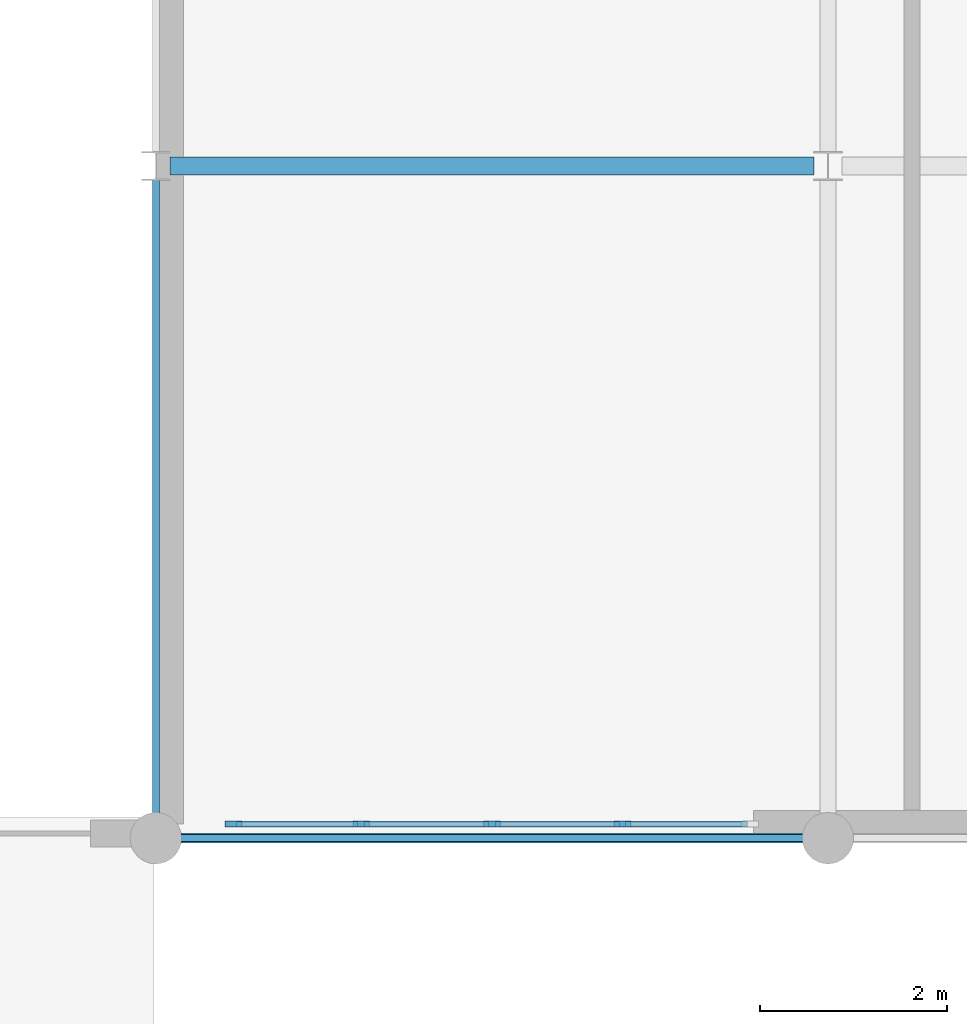
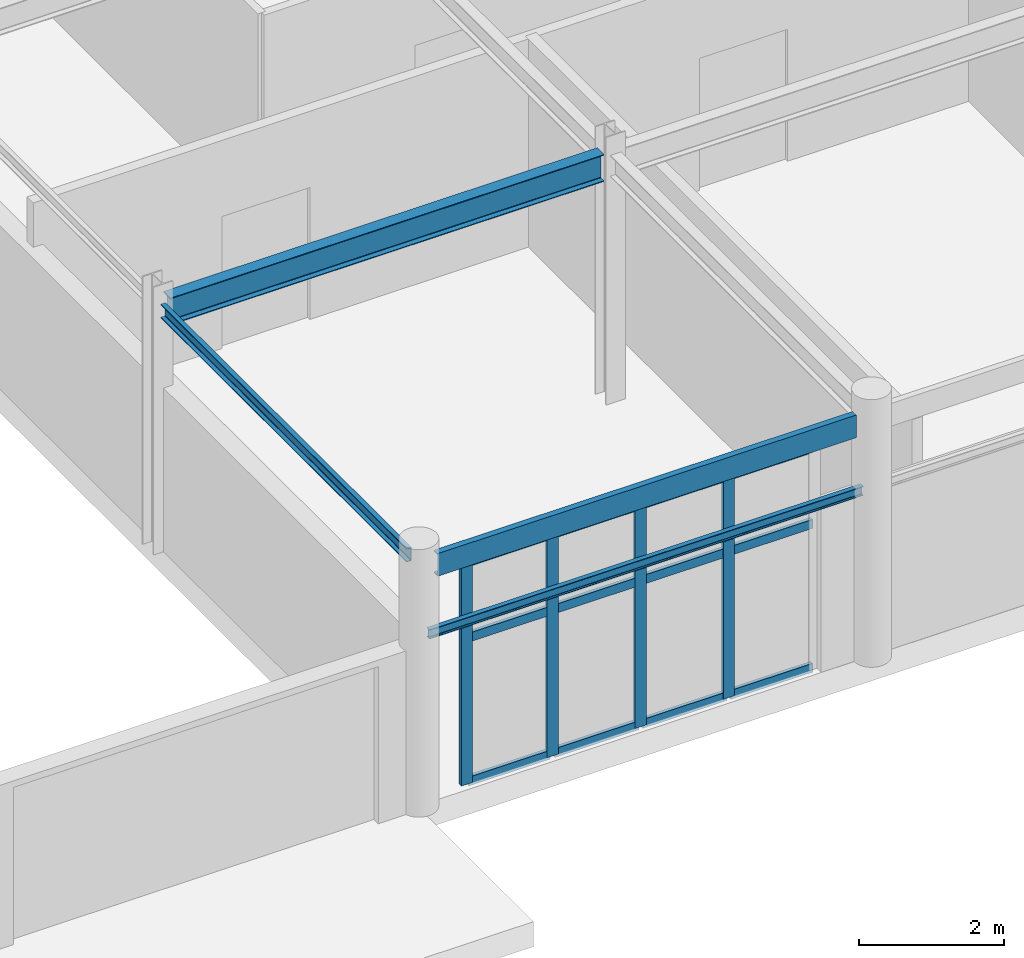
# One storey, part 24 of 85: 16 members, 4 beams, 1 element without a shape of its own.
"""IFC4 building model written with IfcOpenShell, lengths in metres."""

from ifc_helpers import new_model, si_unit, direction, frame, origin, origin_2d, place, context, subcontext, project, spatial, rectangle, i_section, u_section, extrude, material, layer, layer_set, material_profile, profile_set, type_object, element, aggregate, save


model = new_model("IFC4")

# Units and contexts
model_context = context("Model", 3, precision=1e-05, world=origin(), true_north=direction((0.0, 1.0)))
body_context = subcontext(model_context, "Body", "Model", "MODEL_VIEW")
ifc_project = project(units=[si_unit("LENGTHUNIT", "METRE"), si_unit("AREAUNIT", "SQUARE_METRE"), si_unit("VOLUMEUNIT", "CUBIC_METRE"), si_unit("PLANEANGLEUNIT", "RADIAN"), si_unit("MASSUNIT", "GRAM", prefix="KILO")], contexts=[model_context])

# Site, building, storey
site_placement = place(None, origin())
site = spatial("IfcSite", under=ifc_project, at=site_placement, CompositionType="ELEMENT")
building_placement = place(site_placement, origin())
building = spatial("IfcBuilding", under=site, at=building_placement, Name="Ochrevale Crest", CompositionType="ELEMENT")
storey_placement = place(building_placement, origin())
storey = spatial("IfcBuildingStorey", under=building, at=storey_placement, Name="L00", CompositionType="ELEMENT", Elevation=0.0)

# Beams
ifc_material_1 = material(Name="Steel S355", Category="steel")
ifc_material_profile_1 = material_profile(ifc_material_1, u_section(Depth=0.22998046875, FlangeWidth=0.074951171875, WebThickness=0.006591796875, FlangeThickness=0.011962890625, FilletRadius=0.011962890625, at=origin_2d()), Name="230PFC")
ifc_profile_set_1 = profile_set([ifc_material_profile_1], Name="Steel S355")
beam_type_1 = type_object("IfcBeamType", Name="BM-PFC230", PredefinedType="SPANDREL", material=ifc_profile_set_1)
beam_1_placement = place(storey_placement, frame((57.60009765625, 7.469970703125, 4.06005859375), z_axis=(0.0, 1.0, 0.0), x_axis=(-1.0, 0.0, 0.0)))
element("IfcBeam", 1, at=beam_1_placement, inside=storey, type_object=beam_type_1, Name="Retail arcade L00 N-S beam X=57.6", PredefinedType="SPANDREL", context=body_context, shape_type="SweptSolid", body=[
    extrude(u_section(Depth=0.22998046875, FlangeWidth=0.074951171875, WebThickness=0.006591796875, FlangeThickness=0.011962890625, FilletRadius=0.011962890625, at=origin_2d()), origin(), (0.0, 0.0, 1.0), 6.780029296875),
])
ifc_material_profile_2 = material_profile(ifc_material_1, u_section(Depth=0.3798828125, FlangeWidth=0.10009765625, WebThickness=0.010009765625, FlangeThickness=0.017578125, FilletRadius=0.013916015625, at=origin_2d()), Name="380PFC")
ifc_profile_set_2 = profile_set([ifc_material_profile_2], Name="Steel S355")
beam_type_2 = type_object("IfcBeamType", Name="BM-PFC380", PredefinedType="SPANDREL", material=ifc_profile_set_2)
beam_2_placement = place(storey_placement, frame((57.8701171875, 7.199951171875, 3.985107421875), z_axis=(1.0, 0.0, 0.0), x_axis=(0.0, 1.0, 0.0)))
element("IfcBeam", 2, at=beam_2_placement, inside=storey, type_object=beam_type_2, Name="Retail arcade L00 E-W beam Y=7.2", PredefinedType="SPANDREL", context=body_context, shape_type="SweptSolid", body=[
    extrude(u_section(Depth=0.3798828125, FlangeWidth=0.10009765625, WebThickness=0.010009765625, FlangeThickness=0.017578125, FilletRadius=0.013916015625, at=origin_2d()), origin(), (0.0, 0.0, 1.0), 6.659912109375),
])
ifc_material_profile_3 = material_profile(ifc_material_1, i_section(OverallWidth=0.074951171875, OverallDepth=0.155029296875, WebThickness=0.006103515625, FlangeThickness=0.009521484375, FilletRadius=0.008056640625, at=origin_2d()), Name="150UB18.0")
ifc_profile_set_3 = profile_set([ifc_material_profile_3], Name="Steel S355")
beam_type_3 = type_object("IfcBeamType", Name="BM-UB150", PredefinedType="LINTEL", material=ifc_profile_set_3)
beam_3_placement = place(storey_placement, frame((57.75, 7.199951171875, 2.85009765625), z_axis=(1.0, 0.0, 0.0), x_axis=(0.0, 1.0, 0.0)))
element("IfcBeam", 3, at=beam_3_placement, inside=storey, type_object=beam_type_3, Name="Retail shopfront steel lintel L00-1", PredefinedType="LINTEL", context=body_context, shape_type="SweptSolid", body=[
    extrude(i_section(OverallWidth=0.074951171875, OverallDepth=0.155029296875, WebThickness=0.006103515625, FlangeThickness=0.009521484375, FilletRadius=0.008056640625, at=origin_2d()), origin(), (0.0, 0.0, 1.0), 6.89990234375),
])
ifc_material_profile_4 = material_profile(ifc_material_1, i_section(OverallWidth=0.18994140625, OverallDepth=0.453857421875, WebThickness=0.008544921875, FlangeThickness=0.0126953125, FilletRadius=0.011474609375, at=origin_2d()), Name="460UB67.1")
ifc_profile_set_4 = profile_set([ifc_material_profile_4], Name="Steel S355")
beam_type_4 = type_object("IfcBeamType", Name="BM-UB460", PredefinedType="USERDEFINED", material=ifc_profile_set_4)
beam_4_placement = place(storey_placement, frame((57.75, 14.39990234375, 3.947998046875), z_axis=(1.0, 0.0, 0.0), x_axis=(0.0, 1.0, 0.0)))
element("IfcBeam", 4, at=beam_4_placement, inside=storey, type_object=beam_type_4, Name="Retail arcade L00 E-W beam Y=14.4", ObjectType="GIRDER", PredefinedType="USERDEFINED", context=body_context, shape_type="SweptSolid", body=[
    extrude(i_section(OverallWidth=0.18994140625, OverallDepth=0.453857421875, WebThickness=0.008544921875, FlangeThickness=0.0126953125, FilletRadius=0.011474609375, at=origin_2d()), origin(), (0.0, 0.0, 1.0), 6.89990234375),
])

# Curtain wall, members
ifc_material_2 = material(Name="Anodised aluminium 6063-T5", Category="aluminium")
ifc_layer = layer(ifc_material_2, 0.14990234375)
ifc_layer_set = layer_set([ifc_layer], Name="Anodised aluminium 6063-T5")
curtain_wall_type = type_object("IfcCurtainWallType", Name="CW-SF-560x415", PredefinedType="NOTDEFINED", material=ifc_layer_set)
curtain_wall_placement = place(storey_placement, origin())
curtain_wall = element("IfcCurtainWall", 5, at=curtain_wall_placement, inside=storey, type_object=curtain_wall_type, Name="Boulevard W wing shopfront curtain wall 1", PredefinedType="NOTDEFINED")
ifc_material_profile_5 = material_profile(ifc_material_2, rectangle(XDim=0.06494140625, YDim=0.179931640625, at=origin_2d()), Name="ALU 65x180")
ifc_profile_set_5 = profile_set([ifc_material_profile_5], Name="Anodised aluminium 6063-T5")
member_type_1 = type_object("IfcMemberType", Name="CW-MUL-65x180", PredefinedType="MULLION", material=ifc_profile_set_5)
member_1_placement = place(storey_placement, frame((58.4326171875, 7.35009765625, 0.0), z_axis=(0.0, 0.0, 1.0), x_axis=(0.0, 1.0, 0.0)))
member_1 = element("IfcMember", 6, at=member_1_placement, type_object=member_type_1, Name="CW02 mullion 1", PredefinedType="MULLION", context=body_context, shape_type="SweptSolid", body=[
    extrude(rectangle(XDim=0.06494140625, YDim=0.179931640625, at=origin_2d()), origin(), (0.0, 0.0, 1.0), 3.75),
])
member_2_placement = place(storey_placement, frame((59.800048828125, 7.35009765625, 0.0), z_axis=(0.0, 0.0, 1.0), x_axis=(0.0, 1.0, 0.0)))
member_2 = element("IfcMember", 7, at=member_2_placement, type_object=member_type_1, Name="CW02 mullion 2", PredefinedType="MULLION", context=body_context, shape_type="SweptSolid", body=[
    extrude(rectangle(XDim=0.06494140625, YDim=0.179931640625, at=origin_2d()), origin(), (0.0, 0.0, 1.0), 3.75),
])
member_3_placement = place(storey_placement, frame((61.199951171875, 7.35009765625, 0.0), z_axis=(0.0, 0.0, 1.0), x_axis=(0.0, 1.0, 0.0)))
member_3 = element("IfcMember", 8, at=member_3_placement, type_object=member_type_1, Name="CW02 mullion 3", PredefinedType="MULLION", context=body_context, shape_type="SweptSolid", body=[
    extrude(rectangle(XDim=0.06494140625, YDim=0.179931640625, at=origin_2d()), origin(), (0.0, 0.0, 1.0), 3.75),
])
member_4_placement = place(storey_placement, frame((62.60009765625, 7.35009765625, 0.0), z_axis=(0.0, 0.0, 1.0), x_axis=(0.0, 1.0, 0.0)))
member_4 = element("IfcMember", 9, at=member_4_placement, type_object=member_type_1, Name="CW02 mullion 4", PredefinedType="MULLION", context=body_context, shape_type="SweptSolid", body=[
    extrude(rectangle(XDim=0.06494140625, YDim=0.179931640625, at=origin_2d()), origin(), (0.0, 0.0, 1.0), 3.75),
])
ifc_material_profile_6 = material_profile(ifc_material_2, rectangle(XDim=0.06005859375, YDim=0.14990234375, at=origin_2d()), Name="ALU 60x150")
ifc_profile_set_6 = profile_set([ifc_material_profile_6], Name="Anodised aluminium 6063-T5")
member_type_2 = type_object("IfcMemberType", Name="CW-TRN-60x150", PredefinedType="USERDEFINED", material=ifc_profile_set_6)
member_5_placement = place(storey_placement, frame((58.465087890625, 7.35009765625, 0.030029296875), z_axis=(1.0, 0.0, 0.0), x_axis=(0.0, 1.0, 0.0)))
member_5 = element("IfcMember", 10, at=member_5_placement, type_object=member_type_2, Name="CW02 transom 1.1", ObjectType="TRANSOM", PredefinedType="USERDEFINED", context=body_context, shape_type="SweptSolid", body=[
    extrude(rectangle(XDim=0.06005859375, YDim=0.14990234375, at=origin_2d()), origin(), (0.0, 0.0, 1.0), 1.302490234375),
])
member_6_placement = place(storey_placement, frame((58.465087890625, 7.35009765625, 2.449951171875), z_axis=(1.0, 0.0, 0.0), x_axis=(0.0, 1.0, 0.0)))
member_6 = element("IfcMember", 11, at=member_6_placement, type_object=member_type_2, Name="CW02 transom 1.2", ObjectType="TRANSOM", PredefinedType="USERDEFINED", context=body_context, shape_type="SweptSolid", body=[
    extrude(rectangle(XDim=0.06005859375, YDim=0.14990234375, at=origin_2d()), origin(), (0.0, 0.0, 1.0), 1.302490234375),
])
member_7_placement = place(storey_placement, frame((58.465087890625, 7.35009765625, 3.719970703125), z_axis=(1.0, 0.0, 0.0), x_axis=(0.0, 1.0, 0.0)))
member_7 = element("IfcMember", 12, at=member_7_placement, type_object=member_type_2, Name="CW02 transom 1.3", ObjectType="TRANSOM", PredefinedType="USERDEFINED", context=body_context, shape_type="SweptSolid", body=[
    extrude(rectangle(XDim=0.06005859375, YDim=0.14990234375, at=origin_2d()), origin(), (0.0, 0.0, 1.0), 1.302490234375),
])
member_8_placement = place(storey_placement, frame((59.83251953125, 7.35009765625, 0.030029296875), z_axis=(1.0, 0.0, 0.0), x_axis=(0.0, 1.0, 0.0)))
member_8 = element("IfcMember", 13, at=member_8_placement, type_object=member_type_2, Name="CW02 transom 2.1", ObjectType="TRANSOM", PredefinedType="USERDEFINED", context=body_context, shape_type="SweptSolid", body=[
    extrude(rectangle(XDim=0.06005859375, YDim=0.14990234375, at=origin_2d()), origin(), (0.0, 0.0, 1.0), 1.3349609375),
])
member_9_placement = place(storey_placement, frame((59.83251953125, 7.35009765625, 2.449951171875), z_axis=(1.0, 0.0, 0.0), x_axis=(0.0, 1.0, 0.0)))
member_9 = element("IfcMember", 14, at=member_9_placement, type_object=member_type_2, Name="CW02 transom 2.2", ObjectType="TRANSOM", PredefinedType="USERDEFINED", context=body_context, shape_type="SweptSolid", body=[
    extrude(rectangle(XDim=0.06005859375, YDim=0.14990234375, at=origin_2d()), origin(), (0.0, 0.0, 1.0), 1.3349609375),
])
member_10_placement = place(storey_placement, frame((59.83251953125, 7.35009765625, 3.719970703125), z_axis=(1.0, 0.0, 0.0), x_axis=(0.0, 1.0, 0.0)))
member_10 = element("IfcMember", 15, at=member_10_placement, type_object=member_type_2, Name="CW02 transom 2.3", ObjectType="TRANSOM", PredefinedType="USERDEFINED", context=body_context, shape_type="SweptSolid", body=[
    extrude(rectangle(XDim=0.06005859375, YDim=0.14990234375, at=origin_2d()), origin(), (0.0, 0.0, 1.0), 1.3349609375),
])
member_11_placement = place(storey_placement, frame((61.232421875, 7.35009765625, 0.030029296875), z_axis=(1.0, 0.0, 0.0), x_axis=(0.0, 1.0, 0.0)))
member_11 = element("IfcMember", 16, at=member_11_placement, type_object=member_type_2, Name="CW02 transom 3.1", ObjectType="TRANSOM", PredefinedType="USERDEFINED", context=body_context, shape_type="SweptSolid", body=[
    extrude(rectangle(XDim=0.06005859375, YDim=0.14990234375, at=origin_2d()), origin(), (0.0, 0.0, 1.0), 1.3349609375),
])
member_12_placement = place(storey_placement, frame((61.232421875, 7.35009765625, 2.449951171875), z_axis=(1.0, 0.0, 0.0), x_axis=(0.0, 1.0, 0.0)))
member_12 = element("IfcMember", 17, at=member_12_placement, type_object=member_type_2, Name="CW02 transom 3.2", ObjectType="TRANSOM", PredefinedType="USERDEFINED", context=body_context, shape_type="SweptSolid", body=[
    extrude(rectangle(XDim=0.06005859375, YDim=0.14990234375, at=origin_2d()), origin(), (0.0, 0.0, 1.0), 1.3349609375),
])
member_13_placement = place(storey_placement, frame((61.232421875, 7.35009765625, 3.719970703125), z_axis=(1.0, 0.0, 0.0), x_axis=(0.0, 1.0, 0.0)))
member_13 = element("IfcMember", 18, at=member_13_placement, type_object=member_type_2, Name="CW02 transom 3.3", ObjectType="TRANSOM", PredefinedType="USERDEFINED", context=body_context, shape_type="SweptSolid", body=[
    extrude(rectangle(XDim=0.06005859375, YDim=0.14990234375, at=origin_2d()), origin(), (0.0, 0.0, 1.0), 1.3349609375),
])
member_14_placement = place(storey_placement, frame((62.632568359375, 7.35009765625, 0.030029296875), z_axis=(1.0, 0.0, 0.0), x_axis=(0.0, 1.0, 0.0)))
member_14 = element("IfcMember", 19, at=member_14_placement, type_object=member_type_2, Name="CW02 transom 4.1", ObjectType="TRANSOM", PredefinedType="USERDEFINED", context=body_context, shape_type="SweptSolid", body=[
    extrude(rectangle(XDim=0.06005859375, YDim=0.14990234375, at=origin_2d()), origin(), (0.0, 0.0, 1.0), 1.302490234375),
])
member_15_placement = place(storey_placement, frame((62.632568359375, 7.35009765625, 2.449951171875), z_axis=(1.0, 0.0, 0.0), x_axis=(0.0, 1.0, 0.0)))
member_15 = element("IfcMember", 20, at=member_15_placement, type_object=member_type_2, Name="CW02 transom 4.2", ObjectType="TRANSOM", PredefinedType="USERDEFINED", context=body_context, shape_type="SweptSolid", body=[
    extrude(rectangle(XDim=0.06005859375, YDim=0.14990234375, at=origin_2d()), origin(), (0.0, 0.0, 1.0), 1.302490234375),
])
member_16_placement = place(storey_placement, frame((62.632568359375, 7.35009765625, 3.719970703125), z_axis=(1.0, 0.0, 0.0), x_axis=(0.0, 1.0, 0.0)))
member_16 = element("IfcMember", 21, at=member_16_placement, type_object=member_type_2, Name="CW02 transom 4.3", ObjectType="TRANSOM", PredefinedType="USERDEFINED", context=body_context, shape_type="SweptSolid", body=[
    extrude(rectangle(XDim=0.06005859375, YDim=0.14990234375, at=origin_2d()), origin(), (0.0, 0.0, 1.0), 1.302490234375),
])
aggregate(curtain_wall, [member_1, member_2, member_3, member_4, member_5, member_6, member_7, member_8, member_9, member_10, member_11, member_12, member_13, member_14, member_15, member_16])

save(model, "model.ifc")
